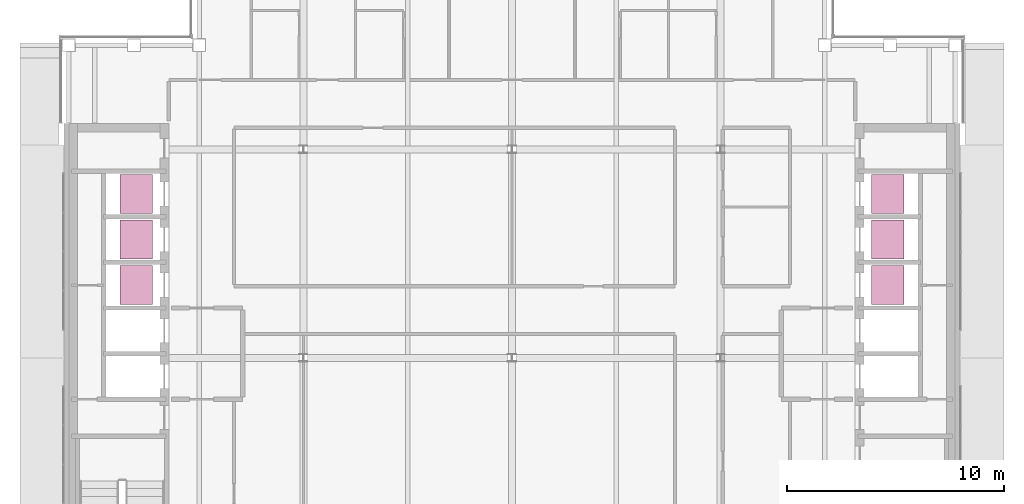
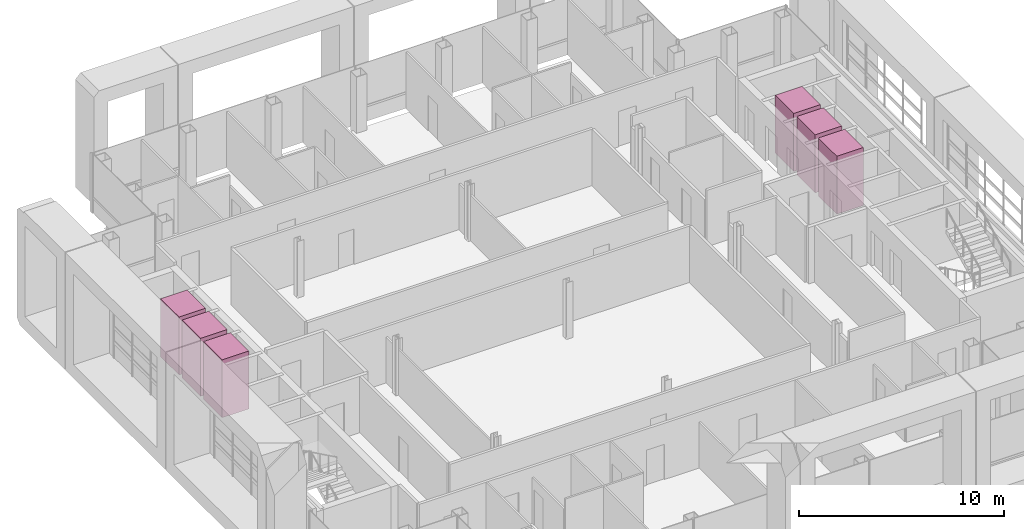
# One storey, part 21 of 21: 6 transport elements.
"""IFC4 building model written with IfcOpenShell, lengths in metres."""

from ifc_helpers import new_model, si_unit, direction, frame, origin, origin_2d, place, context, subcontext, project, spatial, rectangle, extrude, material, type_object, element, save


model = new_model("IFC4")

# Units and contexts
model_context = context("Model", 3, precision=1e-05, world=origin(), true_north=direction((0.0, 1.0)))
body_context = subcontext(model_context, "Body", "Model", "MODEL_VIEW")
ifc_project = project(units=[si_unit("LENGTHUNIT", "METRE"), si_unit("AREAUNIT", "SQUARE_METRE"), si_unit("VOLUMEUNIT", "CUBIC_METRE"), si_unit("PLANEANGLEUNIT", "RADIAN"), si_unit("MASSUNIT", "GRAM", prefix="KILO")], contexts=[model_context])

# Site, building, storey
site_placement = place(None, origin())
site = spatial("IfcSite", under=ifc_project, at=site_placement, CompositionType="ELEMENT")
building_placement = place(site_placement, origin())
building = spatial("IfcBuilding", under=site, at=building_placement, Name="Cobrizo Arcos Hotel Tower", CompositionType="ELEMENT")
storey_placement = place(building_placement, frame((0.0, 0.0, 248.0)))
storey = spatial("IfcBuildingStorey", under=building, at=storey_placement, Name="L65", CompositionType="ELEMENT", Elevation=248.0)

# Transport elements
ifc_material = material(Name="Stainless steel car", Category="steel")
transport_element_type = type_object("IfcTransportElementType", Name="Lift car High 1.8x1.5", PredefinedType="ELEVATOR", material=ifc_material)
for number, where, z_axis, x_axis, name in (
    (1, (-17.300048828125, 3.35009765625, 0.0), (0.0, 0.0, 1.0), (1.0, 0.0, 0.0), "High-rise passenger lift W1"),
    (2, (-17.300048828125, 5.449951171875, 0.0), (0.0, 0.0, 1.0), (1.0, 0.0, 0.0), "High-rise passenger lift W2"),
    (3, (-17.300048828125, 7.550048828125, 0.0), (0.0, 0.0, 1.0), (1.0, 0.0, 0.0), "High-rise passenger lift W3"),
    (4, (17.300048828125, 3.35009765625, 0.0), (0.0, 0.0, 1.0), (1.0, 0.0, 0.0), "High-rise passenger lift E1"),
    (5, (17.300048828125, 5.449951171875, 0.0), (0.0, 0.0, 1.0), (1.0, 0.0, 0.0), "High-rise passenger lift E2"),
    (6, (17.300048828125, 7.550048828125, 0.0), (0.0, 0.0, 1.0), (1.0, 0.0, 0.0), "High-rise passenger lift E3"),
):
    element("IfcTransportElement", number, at=place(storey_placement, frame(where, z_axis=z_axis, x_axis=x_axis)), inside=storey, type_object=transport_element_type, Name=name, PredefinedType="ELEVATOR", context=body_context, shape_type="SweptSolid", body=[
        extrude(rectangle(XDim=1.5, YDim=1.800048828125, at=origin_2d()), origin(), (0.0, 0.0, 1.0), 3.449951171875),
    ])

save(model, "model.ifc")
